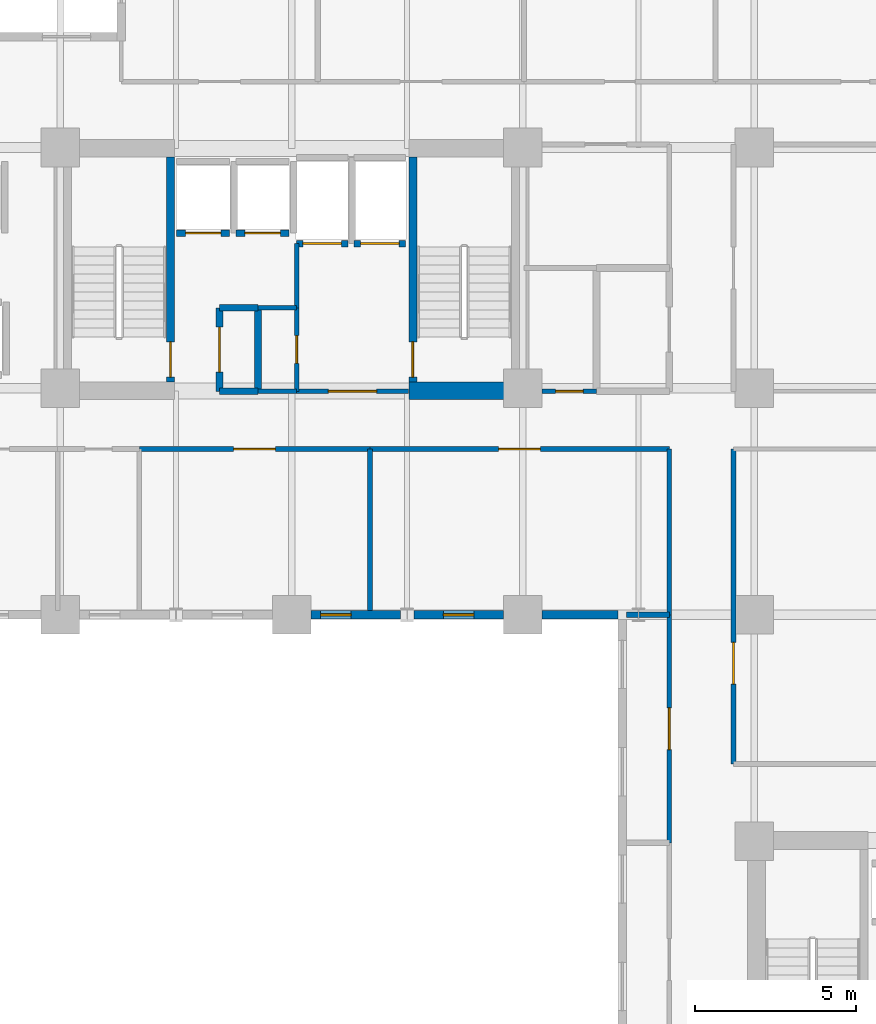
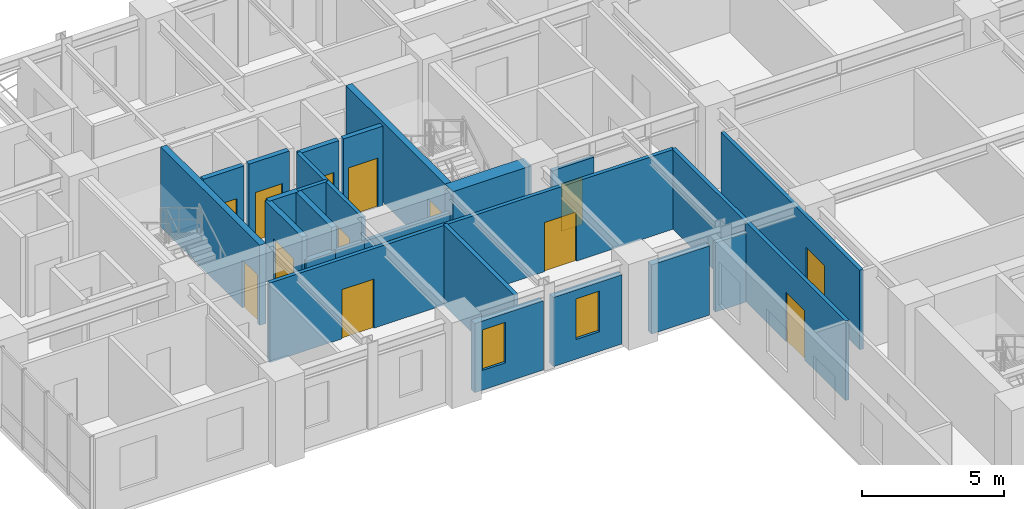
# One storey, part 9 of 17: 27 walls, 14 doors, 2 windows, 16 openings.
"""IFC4 building model written with IfcOpenShell, lengths in metres."""

from ifc_helpers import new_model, si_unit, direction, frame, frame_2d, origin, place, context, subcontext, project, spatial, rectangle, extrude, material, layer, layer_set, type_object, element, fill, save


model = new_model("IFC4")

# Units and contexts
model_context = context("Model", 3, precision=1e-05, world=origin(), true_north=direction((0.0, 1.0)))
body_context = subcontext(model_context, "Body", "Model", "MODEL_VIEW")
ifc_project = project(units=[si_unit("LENGTHUNIT", "METRE"), si_unit("AREAUNIT", "SQUARE_METRE"), si_unit("VOLUMEUNIT", "CUBIC_METRE"), si_unit("PLANEANGLEUNIT", "RADIAN"), si_unit("MASSUNIT", "GRAM", prefix="KILO")], contexts=[model_context])

# Site, building, storey
site_placement = place(None, origin())
site = spatial("IfcSite", under=ifc_project, at=site_placement, CompositionType="ELEMENT")
building_placement = place(site_placement, origin())
building = spatial("IfcBuilding", under=site, at=building_placement, Name="Kaliganga Portal Commons", CompositionType="ELEMENT")
storey_placement = place(building_placement, frame((0.0, 0.0, 108.199951171875)))
storey = spatial("IfcBuildingStorey", under=building, at=storey_placement, Name="L27", CompositionType="ELEMENT", Elevation=108.199951171875)

# Wall
ifc_material_1 = material(Name="Concrete C60/75", Category="concrete")
ifc_layer_1 = layer(ifc_material_1, 0.550048828125)
ifc_layer_set_1 = layer_set([ifc_layer_1], Name="Concrete C60/75")
wall_type_1 = type_object("IfcWallType", Name="WL-CORE-550", PredefinedType="SHEAR", material=ifc_layer_set_1)
wall_1_placement = place(storey_placement, frame((25.25, 28.574951171875, 0.0), z_axis=(0.0, 0.0, 1.0), x_axis=(1.0, 0.0, 0.0)))
element("IfcWall", 1, at=wall_1_placement, inside=storey, type_object=wall_type_1, Name="Core A S-East Shear Wall L27", PredefinedType="SHEAR", context=body_context, shape_type="SweptSolid", body=[
    extrude(rectangle(XDim=3.199951171875, YDim=0.550048828125, at=frame_2d((1.60009765625, 0.0))), origin(), (0.0, 0.0, 1.0), 3.449951171875),
])

# Wall, opening, window
ifc_material_2 = material(Name="Insulated Aluminium-Clad Spandrel Assembly", Category="aluminium")
ifc_layer_2 = layer(ifc_material_2, 0.260009765625)
ifc_layer_set_2 = layer_set([ifc_layer_2], Name="Insulated Aluminium-Clad Spandrel Assembly")
wall_type_2 = type_object("IfcWallType", Name="WL-EXT-SPAND-260", PredefinedType="STANDARD", material=ifc_layer_set_2)
wall_2_placement = place(storey_placement, frame((24.994384765625, 21.60009765625, 0.0), z_axis=(0.0, 0.0, 1.0), x_axis=(-1.0, 0.0, 0.0)))
wall_2 = element("IfcWall", 2, at=wall_2_placement, inside=storey, type_object=wall_type_2, Name="Exterior Envelope Wall L27 P1-E10-S4", PredefinedType="STANDARD", context=body_context, shape_type="SweptSolid", body=[
    extrude(rectangle(XDim=2.79345703125, YDim=0.260009765625, at=frame_2d((1.396728515625, 0.0))), origin(), (0.0, 0.0, 1.0), 2.97998046875),
])
opening_1_placement = place(wall_2_placement, frame((1.536376953125, 0.0, 0.85009765625)))
opening_1 = element("IfcOpeningElement", 3, at=opening_1_placement, cuts=wall_2, Name="Opening W-04", PredefinedType="OPENING", context=body_context, shape_type="SweptSolid", body=[
    extrude(rectangle(XDim=0.949951171875, YDim=1.75, at=frame_2d((0.47509765625, 0.875))), frame((0.0, 0.14013671875, 0.0), z_axis=(0.0, -1.0, 0.0), x_axis=(1.0, 0.0, 0.0)), (0.0, 0.0, 1.0), 0.280029296875),
])
ifc_material_3 = material(Name="Thermally Broken Aluminium and Low-E Double Glazing", Category="aluminium")
window_type = type_object("IfcWindowType", Name="WIN-NARROW-950", PartitioningType="SINGLE_PANEL", PredefinedType="WINDOW", material=ifc_material_3)
window_1_placement = place(opening_1_placement, origin())
window_1 = element("IfcWindow", 4, at=window_1_placement, inside=storey, type_object=window_type, Name="Facade Window L27-P1E10S4-N4", OverallHeight=1.75, OverallWidth=0.949951171875, PartitioningType="SINGLE_PANEL", PredefinedType="WINDOW", context=body_context, shape_type="SweptSolid", body=[
    extrude(rectangle(XDim=0.949951171875, YDim=1.75, at=frame_2d((0.47509765625, 0.875))), frame((0.0, 0.030029296875, 0.0), z_axis=(0.0, -1.0, 0.0), x_axis=(1.0, 0.0, 0.0)), (0.0, 0.0, 1.0), 0.06005859375),
])
fill(opening_1, window_1)

wall_3_placement = place(storey_placement, frame((28.198974609375, 21.60009765625, 0.0), z_axis=(0.0, 0.0, 1.0), x_axis=(-1.0, 0.0, 0.0)))
wall_3 = element("IfcWall", 5, at=wall_3_placement, inside=storey, type_object=wall_type_2, Name="Exterior Envelope Wall L27 P1-E10-S5", PredefinedType="STANDARD", context=body_context, shape_type="SweptSolid", body=[
    extrude(rectangle(XDim=2.79345703125, YDim=0.260009765625, at=frame_2d((1.396728515625, 0.0))), origin(), (0.0, 0.0, 1.0), 2.97998046875),
])
opening_2_placement = place(wall_3_placement, frame((0.921875, 0.0, 0.85009765625)))
opening_2 = element("IfcOpeningElement", 6, at=opening_2_placement, cuts=wall_3, Name="Opening W-04", PredefinedType="OPENING", context=body_context, shape_type="SweptSolid", body=[
    extrude(rectangle(XDim=0.949951171875, YDim=1.75, at=frame_2d((0.47509765625, 0.875))), frame((0.0, 0.14013671875, 0.0), z_axis=(0.0, -1.0, 0.0), x_axis=(1.0, 0.0, 0.0)), (0.0, 0.0, 1.0), 0.280029296875),
])
window_2_placement = place(opening_2_placement, origin())
window_2 = element("IfcWindow", 7, at=window_2_placement, inside=storey, type_object=window_type, Name="Facade Window L27-P1E10S5-00", OverallHeight=1.75, OverallWidth=0.949951171875, PartitioningType="SINGLE_PANEL", PredefinedType="WINDOW", context=body_context, shape_type="SweptSolid", body=[
    extrude(rectangle(XDim=0.949951171875, YDim=1.75, at=frame_2d((0.47509765625, 0.875))), frame((0.0, 0.030029296875, 0.0), z_axis=(0.0, -1.0, 0.0), x_axis=(1.0, 0.0, 0.0)), (0.0, 0.0, 1.0), 0.06005859375),
])
fill(opening_2, window_2)

# Wall
wall_4_placement = place(storey_placement, frame((31.764892578125, 21.60009765625, 0.0), z_axis=(0.0, 0.0, 1.0), x_axis=(-1.0, 0.0, 0.0)))
element("IfcWall", 8, at=wall_4_placement, inside=storey, type_object=wall_type_2, Name="Exterior Envelope Wall L27 P1-E10-S6", PredefinedType="STANDARD", context=body_context, shape_type="SweptSolid", body=[
    extrude(rectangle(XDim=2.364013671875, YDim=0.260009765625, at=frame_2d((1.18212890625, 0.0))), origin(), (0.0, 0.0, 1.0), 2.97998046875),
])

# Wall, opening, door
ifc_material_4 = material(Name="Fire-Rated Gypsum Board on Steel Stud", Category="steel")
ifc_layer_3 = layer(ifc_material_4, 0.14990234375)
ifc_layer_set_3 = layer_set([ifc_layer_3], Name="Fire-Rated Gypsum Board on Steel Stud")
wall_type_3 = type_object("IfcWallType", Name="WL-PART-CORR-150", PredefinedType="PARTITIONING", material=ifc_layer_set_3)
wall_5_placement = place(storey_placement, frame((35.360107421875, 16.9599609375, 0.0), z_axis=(0.0, 0.0, 1.0), x_axis=(0.0, 1.0, 0.0)))
wall_5 = element("IfcWall", 9, at=wall_5_placement, inside=storey, type_object=wall_type_3, Name="Interior Partition L27-004", PredefinedType="PARTITIONING", context=body_context, shape_type="SweptSolid", body=[
    extrude(rectangle(XDim=9.800048828125, YDim=0.14990234375, at=frame_2d((4.89990234375, 0.0))), origin(), (0.0, 0.0, 1.0), 3.429931640625),
])
opening_3_placement = place(wall_5_placement, frame((2.486083984375, 0.0, 0.0)))
opening_3 = element("IfcOpeningElement", 10, at=opening_3_placement, cuts=wall_5, Name="Opening RD-03", PredefinedType="OPENING", context=body_context, shape_type="SweptSolid", body=[
    extrude(rectangle(XDim=1.300048828125, YDim=2.1201171875, at=frame_2d((0.64990234375, 1.06005859375))), frame((0.0, 0.0849609375, 0.0), z_axis=(0.0, -1.0, 0.0), x_axis=(1.0, 0.0, 0.0)), (0.0, 0.0, 1.0), 0.169921875),
])
ifc_material_5 = material(Name="Glazed Timber Seminar Vision Door", Category="wood")
door_type_1 = type_object("IfcDoorType", Name="DR-STUDY-1300", OperationType="DOUBLE_DOOR_SINGLE_SWING", PredefinedType="DOOR", material=ifc_material_5)
door_1_placement = place(opening_3_placement, origin())
door_1 = element("IfcDoor", 11, at=door_1_placement, inside=storey, type_object=door_type_1, Name="Interior Door L27-BM01", OperationType="DOUBLE_DOOR_SINGLE_SWING", OverallHeight=2.1201171875, OverallWidth=1.300048828125, PredefinedType="DOOR", context=body_context, shape_type="SweptSolid", body=[
    extrude(rectangle(XDim=1.300048828125, YDim=2.1201171875, at=frame_2d((0.64990234375, 1.06005859375))), frame((0.0, 0.02490234375, 0.0), z_axis=(0.0, -1.0, 0.0), x_axis=(1.0, 0.0, 0.0)), (0.0, 0.0, 1.0), 0.050048828125),
])
fill(opening_3, door_1)

wall_6_placement = place(storey_placement, frame((24.0400390625, 26.760009765625, 0.0), z_axis=(0.0, 0.0, 1.0), x_axis=(1.0, 0.0, 0.0)))
wall_6 = element("IfcWall", 12, at=wall_6_placement, inside=storey, type_object=wall_type_3, Name="Interior Partition L27-005", PredefinedType="PARTITIONING", context=body_context, shape_type="SweptSolid", body=[
    extrude(rectangle(XDim=9.320068359375, YDim=0.14990234375, at=frame_2d((4.66015625, 0.0))), origin(), (0.0, 0.0, 1.0), 3.429931640625),
])
opening_4_placement = place(wall_6_placement, frame((4.010009765625, 0.0, 0.0)))
opening_4 = element("IfcOpeningElement", 13, at=opening_4_placement, cuts=wall_6, Name="Opening RD-03", PredefinedType="OPENING", context=body_context, shape_type="SweptSolid", body=[
    extrude(rectangle(XDim=1.300048828125, YDim=2.1201171875, at=frame_2d((0.64990234375, 1.06005859375))), frame((0.0, 0.0849609375, 0.0), z_axis=(0.0, -1.0, 0.0), x_axis=(1.0, 0.0, 0.0)), (0.0, 0.0, 1.0), 0.169921875),
])
door_2_placement = place(opening_4_placement, origin())
door_2 = element("IfcDoor", 14, at=door_2_placement, inside=storey, type_object=door_type_1, Name="Interior Door L27-AS05", OperationType="DOUBLE_DOOR_SINGLE_SWING", OverallHeight=2.1201171875, OverallWidth=1.300048828125, PredefinedType="DOOR", context=body_context, shape_type="SweptSolid", body=[
    extrude(rectangle(XDim=1.300048828125, YDim=2.1201171875, at=frame_2d((0.64990234375, 1.06005859375))), frame((0.0, 0.02490234375, 0.0), z_axis=(0.0, -1.0, 0.0), x_axis=(1.0, 0.0, 0.0)), (0.0, 0.0, 1.0), 0.050048828125),
])
fill(opening_4, door_2)

wall_7_placement = place(storey_placement, frame((16.860107421875, 26.760009765625, 0.0), z_axis=(0.0, 0.0, 1.0), x_axis=(1.0, 0.0, 0.0)))
wall_7 = element("IfcWall", 15, at=wall_7_placement, inside=storey, type_object=wall_type_3, Name="Interior Partition L27-012", PredefinedType="PARTITIONING", context=body_context, shape_type="SweptSolid", body=[
    extrude(rectangle(XDim=7.179931640625, YDim=0.14990234375, at=frame_2d((3.58984375, 0.0))), origin(), (0.0, 0.0, 1.0), 3.429931640625),
])
opening_5_placement = place(wall_7_placement, frame((2.93994140625, 0.0, 0.0)))
opening_5 = element("IfcOpeningElement", 16, at=opening_5_placement, cuts=wall_7, Name="Opening RD-03", PredefinedType="OPENING", context=body_context, shape_type="SweptSolid", body=[
    extrude(rectangle(XDim=1.300048828125, YDim=2.1201171875, at=frame_2d((0.64990234375, 1.06005859375))), frame((0.0, 0.0849609375, 0.0), z_axis=(0.0, -1.0, 0.0), x_axis=(1.0, 0.0, 0.0)), (0.0, 0.0, 1.0), 0.169921875),
])
door_3_placement = place(opening_5_placement, origin())
door_3 = element("IfcDoor", 17, at=door_3_placement, inside=storey, type_object=door_type_1, Name="Interior Door L27-AS04", OperationType="DOUBLE_DOOR_SINGLE_SWING", OverallHeight=2.1201171875, OverallWidth=1.300048828125, PredefinedType="DOOR", context=body_context, shape_type="SweptSolid", body=[
    extrude(rectangle(XDim=1.300048828125, YDim=2.1201171875, at=frame_2d((0.64990234375, 1.06005859375))), frame((0.0, 0.02490234375, 0.0), z_axis=(0.0, -1.0, 0.0), x_axis=(1.0, 0.0, 0.0)), (0.0, 0.0, 1.0), 0.050048828125),
])
fill(opening_5, door_3)

wall_8_placement = place(storey_placement, frame((33.360107421875, 14.5, 0.0), z_axis=(0.0, 0.0, 1.0), x_axis=(0.0, 1.0, 0.0)))
wall_8 = element("IfcWall", 18, at=wall_8_placement, inside=storey, type_object=wall_type_3, Name="Interior Partition L27-013", PredefinedType="PARTITIONING", context=body_context, shape_type="SweptSolid", body=[
    extrude(rectangle(XDim=7.10009765625, YDim=0.14990234375, at=frame_2d((3.550048828125, 0.0))), origin(), (0.0, 0.0, 1.0), 3.429931640625),
])
opening_6_placement = place(wall_8_placement, frame((2.89990234375, 0.0, 0.0)))
opening_6 = element("IfcOpeningElement", 19, at=opening_6_placement, cuts=wall_8, Name="Opening RD-03", PredefinedType="OPENING", context=body_context, shape_type="SweptSolid", body=[
    extrude(rectangle(XDim=1.300048828125, YDim=2.1201171875, at=frame_2d((0.64990234375, 1.06005859375))), frame((0.0, 0.0849609375, 0.0), z_axis=(0.0, -1.0, 0.0), x_axis=(1.0, 0.0, 0.0)), (0.0, 0.0, 1.0), 0.169921875),
])
door_4_placement = place(opening_6_placement, origin())
door_4 = element("IfcDoor", 20, at=door_4_placement, inside=storey, type_object=door_type_1, Name="Interior Door L27-KW02", OperationType="DOUBLE_DOOR_SINGLE_SWING", OverallHeight=2.1201171875, OverallWidth=1.300048828125, PredefinedType="DOOR", context=body_context, shape_type="SweptSolid", body=[
    extrude(rectangle(XDim=1.300048828125, YDim=2.1201171875, at=frame_2d((0.64990234375, 1.06005859375))), frame((0.0, 0.02490234375, 0.0), z_axis=(0.0, -1.0, 0.0), x_axis=(1.0, 0.0, 0.0)), (0.0, 0.0, 1.0), 0.050048828125),
])
fill(opening_6, door_4)

# Wall
wall_9_placement = place(storey_placement, frame((33.360107421875, 21.60009765625, 0.0), z_axis=(0.0, 0.0, 1.0), x_axis=(0.0, 1.0, 0.0)))
element("IfcWall", 21, at=wall_9_placement, inside=storey, type_object=wall_type_3, Name="Interior Partition L27-022", PredefinedType="PARTITIONING", context=body_context, shape_type="SweptSolid", body=[
    extrude(rectangle(XDim=5.159912109375, YDim=0.14990234375, at=frame_2d((2.580078125, 0.0))), origin(), (0.0, 0.0, 1.0), 3.429931640625),
])

# Wall, opening, door
wall_10_placement = place(storey_placement, frame((21.760009765625, 28.56005859375, 0.0), z_axis=(0.0, 0.0, 1.0), x_axis=(0.0, 1.0, 0.0)))
wall_10 = element("IfcWall", 22, at=wall_10_placement, inside=storey, type_object=wall_type_3, Name="Interior Partition L27-032", PredefinedType="PARTITIONING", context=body_context, shape_type="SweptSolid", body=[
    extrude(rectangle(XDim=2.599853515625, YDim=0.14990234375, at=frame_2d((1.2998046875, 0.0))), origin(), (0.0, 0.0, 1.0), 3.429931640625),
])
opening_7_placement = place(wall_10_placement, frame((0.8701171875, 0.0, 0.0)))
opening_7 = element("IfcOpeningElement", 23, at=opening_7_placement, cuts=wall_10, Name="Opening WD-02", PredefinedType="OPENING", context=body_context, shape_type="SweptSolid", body=[
    extrude(rectangle(XDim=0.860107421875, YDim=2.02001953125, at=frame_2d((0.43017578125, 1.010009765625))), frame((0.0, 0.0849609375, 0.0), z_axis=(0.0, -1.0, 0.0), x_axis=(1.0, 0.0, 0.0)), (0.0, 0.0, 1.0), 0.169921875),
])
ifc_material_6 = material(Name="Fire-Rated Utility Closet Door", Category="wood")
door_type_2 = type_object("IfcDoorType", Name="DR-STORE-800", OperationType="NOTDEFINED", PredefinedType="DOOR", material=ifc_material_6)
door_5_placement = place(opening_7_placement, origin())
door_5 = element("IfcDoor", 24, at=door_5_placement, inside=storey, type_object=door_type_2, Name="Interior Door L27-CIN_A2", OperationType="SINGLE_SWING_RIGHT", OverallHeight=2.02001953125, OverallWidth=0.860107421875, PredefinedType="DOOR", context=body_context, shape_type="SweptSolid", body=[
    extrude(rectangle(XDim=0.860107421875, YDim=2.02001953125, at=frame_2d((0.43017578125, 1.010009765625))), frame((0.0, 0.02490234375, 0.0), z_axis=(0.0, -1.0, 0.0), x_axis=(1.0, 0.0, 0.0)), (0.0, 0.0, 1.0), 0.050048828125),
])
fill(opening_7, door_5)

wall_11_placement = place(storey_placement, frame((29.39990234375, 28.56005859375, 0.0), z_axis=(0.0, 0.0, 1.0), x_axis=(1.0, 0.0, 0.0)))
wall_11 = element("IfcWall", 25, at=wall_11_placement, inside=storey, type_object=wall_type_3, Name="Interior Partition L27-035", PredefinedType="PARTITIONING", context=body_context, shape_type="SweptSolid", body=[
    extrude(rectangle(XDim=1.7001953125, YDim=0.14990234375, at=frame_2d((0.85009765625, 0.0))), origin(), (0.0, 0.0, 1.0), 2.780029296875),
])
opening_8_placement = place(wall_11_placement, frame((0.419921875, 0.0, 0.0)))
opening_8 = element("IfcOpeningElement", 26, at=opening_8_placement, cuts=wall_11, Name="Opening WD-02", PredefinedType="OPENING", context=body_context, shape_type="SweptSolid", body=[
    extrude(rectangle(XDim=0.860107421875, YDim=2.02001953125, at=frame_2d((0.43017578125, 1.010009765625))), frame((0.0, 0.0849609375, 0.0), z_axis=(0.0, -1.0, 0.0), x_axis=(1.0, 0.0, 0.0)), (0.0, 0.0, 1.0), 0.169921875),
])
door_6_placement = place(opening_8_placement, origin())
door_6 = element("IfcDoor", 27, at=door_6_placement, inside=storey, type_object=door_type_2, Name="Interior Door L27-CSRV_A1", OperationType="SINGLE_SWING_LEFT", OverallHeight=2.02001953125, OverallWidth=0.860107421875, PredefinedType="DOOR", context=body_context, shape_type="SweptSolid", body=[
    extrude(rectangle(XDim=0.860107421875, YDim=2.02001953125, at=frame_2d((0.43017578125, 1.010009765625))), frame((0.0, 0.02490234375, 0.0), z_axis=(0.0, -1.0, 0.0), x_axis=(1.0, 0.0, 0.0)), (0.0, 0.0, 1.0), 0.050048828125),
])
fill(opening_8, door_6)

# Walls
wall_12_placement = place(storey_placement, frame((20.56005859375, 28.56005859375, 0.0), z_axis=(0.0, 0.0, 1.0), x_axis=(1.0, 0.0, 0.0)))
element("IfcWall", 28, at=wall_12_placement, inside=storey, type_object=wall_type_3, Name="Interior Partition L27-039", PredefinedType="PARTITIONING", context=body_context, shape_type="SweptSolid", body=[
    extrude(rectangle(XDim=1.199951171875, YDim=0.14990234375, at=frame_2d((0.60009765625, 0.0))), origin(), (0.0, 0.0, 1.0), 2.429931640625),
])
wall_13_placement = place(storey_placement, frame((20.56005859375, 31.159912109375, 0.0), z_axis=(0.0, 0.0, 1.0), x_axis=(1.0, 0.0, 0.0)))
element("IfcWall", 29, at=wall_13_placement, inside=storey, type_object=wall_type_3, Name="Interior Partition L27-040", PredefinedType="PARTITIONING", context=body_context, shape_type="SweptSolid", body=[
    extrude(rectangle(XDim=1.199951171875, YDim=0.14990234375, at=frame_2d((0.60009765625, 0.0))), origin(), (0.0, 0.0, 1.0), 3.429931640625),
])

# Wall, opening, door
wall_14_placement = place(storey_placement, frame((21.760009765625, 28.56005859375, 0.0), z_axis=(0.0, 0.0, 1.0), x_axis=(1.0, 0.0, 0.0)))
wall_14 = element("IfcWall", 30, at=wall_14_placement, inside=storey, type_object=wall_type_3, Name="Interior Partition L27-072", PredefinedType="PARTITIONING", context=body_context, shape_type="SweptSolid", body=[
    extrude(rectangle(XDim=3.47998046875, YDim=0.14990234375, at=frame_2d((1.739990234375, 0.0))), origin(), (0.0, 0.0, 1.0), 2.429931640625),
])
opening_9_placement = place(wall_14_placement, frame((0.989990234375, 0.0, 0.0)))
opening_9 = element("IfcOpeningElement", 31, at=opening_9_placement, cuts=wall_14, Name="Opening FD-01", PredefinedType="OPENING", context=body_context, shape_type="SweptSolid", body=[
    extrude(rectangle(XDim=1.5, YDim=2.10009765625, at=frame_2d((0.75, 1.050048828125))), frame((0.0, 0.0849609375, 0.0), z_axis=(0.0, -1.0, 0.0), x_axis=(1.0, 0.0, 0.0)), (0.0, 0.0, 1.0), 0.169921875),
])
ifc_material_7 = material(Name="Fire-Rated Hardwood and Georgian-Wired Vision Panel", Category="wood")
door_type_3 = type_object("IfcDoorType", Name="DR-LOBBY-1500", OperationType="DOUBLE_DOOR_SINGLE_SWING", PredefinedType="DOOR", material=ifc_material_7)
door_7_placement = place(opening_9_placement, origin())
door_7 = element("IfcDoor", 32, at=door_7_placement, inside=storey, type_object=door_type_3, Name="Interior Door L27-FFLOB_A", OperationType="DOUBLE_DOOR_SINGLE_SWING", OverallHeight=2.10009765625, OverallWidth=1.5, PredefinedType="DOOR", context=body_context, shape_type="SweptSolid", body=[
    extrude(rectangle(XDim=1.5, YDim=2.10009765625, at=frame_2d((0.75, 1.050048828125))), frame((0.0, 0.02490234375, 0.0), z_axis=(0.0, -1.0, 0.0), x_axis=(1.0, 0.0, 0.0)), (0.0, 0.0, 1.0), 0.050048828125),
])
fill(opening_9, door_7)

# Wall
wall_15_placement = place(storey_placement, frame((21.760009765625, 31.159912109375, 0.0), z_axis=(0.0, 0.0, 1.0), x_axis=(0.0, 1.0, 0.0)))
element("IfcWall", 33, at=wall_15_placement, inside=storey, type_object=wall_type_3, Name="Interior Partition L27-077", PredefinedType="PARTITIONING", context=body_context, shape_type="SweptSolid", body=[
    extrude(rectangle(XDim=2.0, YDim=0.14990234375, at=frame_2d((1.0, 0.0))), origin(), (0.0, 0.0, 1.0), 3.429931640625),
])

# Wall, opening, door
ifc_material_8 = material(Name="Lightweight blockwork masonry", Category="masonry")
ifc_layer_4 = layer(ifc_material_8, 0.215087890625)
ifc_layer_set_4 = layer_set([ifc_layer_4], Name="Lightweight blockwork masonry")
wall_type_4 = type_object("IfcWallType", Name="WL-PART-PLANT-215", PredefinedType="PARTITIONING", material=ifc_layer_set_4)
wall_16_placement = place(storey_placement, frame((19.360107421875, 28.56005859375, 0.0), z_axis=(0.0, 0.0, 1.0), x_axis=(0.0, 1.0, 0.0)))
wall_16 = element("IfcWall", 34, at=wall_16_placement, inside=storey, type_object=wall_type_4, Name="Interior Partition L27-031", PredefinedType="PARTITIONING", context=body_context, shape_type="SweptSolid", body=[
    extrude(rectangle(XDim=2.599853515625, YDim=0.215087890625, at=frame_2d((1.2998046875, 0.0))), origin(), (0.0, 0.0, 1.0), 3.429931640625),
])
opening_10_placement = place(wall_16_placement, frame((0.60009765625, 0.0, 0.0)))
opening_10 = element("IfcOpeningElement", 35, at=opening_10_placement, cuts=wall_16, Name="Opening PD-01", PredefinedType="OPENING", context=body_context, shape_type="SweptSolid", body=[
    extrude(rectangle(XDim=1.39990234375, YDim=2.14990234375, at=frame_2d((0.699951171875, 1.074951171875))), frame((0.0, 0.11767578125, 0.0), z_axis=(0.0, -1.0, 0.0), x_axis=(1.0, 0.0, 0.0)), (0.0, 0.0, 1.0), 0.235107421875),
])
ifc_material_9 = material(Name="Heavy-Duty Steel Acoustic Louvre Fire Door", Category="steel")
door_type_4 = type_object("IfcDoorType", Name="DR-PLANT-1400", OperationType="DOUBLE_DOOR_SINGLE_SWING", PredefinedType="DOOR", material=ifc_material_9)
door_8_placement = place(opening_10_placement, origin())
door_8 = element("IfcDoor", 36, at=door_8_placement, inside=storey, type_object=door_type_4, Name="Interior Door L27-CIN_A1", OperationType="DOUBLE_DOOR_SINGLE_SWING", OverallHeight=2.14990234375, OverallWidth=1.39990234375, PredefinedType="DOOR", context=body_context, shape_type="SweptSolid", body=[
    extrude(rectangle(XDim=1.39990234375, YDim=2.14990234375, at=frame_2d((0.699951171875, 1.074951171875))), frame((0.0, 0.02490234375, 0.0), z_axis=(0.0, -1.0, 0.0), x_axis=(1.0, 0.0, 0.0)), (0.0, 0.0, 1.0), 0.050048828125),
])
fill(opening_10, door_8)

# Walls
wall_17_placement = place(storey_placement, frame((19.360107421875, 28.56005859375, 0.0), z_axis=(0.0, 0.0, 1.0), x_axis=(1.0, 0.0, 0.0)))
element("IfcWall", 37, at=wall_17_placement, inside=storey, type_object=wall_type_4, Name="Interior Partition L27-041", PredefinedType="PARTITIONING", context=body_context, shape_type="SweptSolid", body=[
    extrude(rectangle(XDim=1.199951171875, YDim=0.215087890625, at=frame_2d((0.60009765625, 0.0))), origin(), (0.0, 0.0, 1.0), 2.429931640625),
])
wall_18_placement = place(storey_placement, frame((19.360107421875, 31.159912109375, 0.0), z_axis=(0.0, 0.0, 1.0), x_axis=(1.0, 0.0, 0.0)))
element("IfcWall", 38, at=wall_18_placement, inside=storey, type_object=wall_type_4, Name="Interior Partition L27-042", PredefinedType="PARTITIONING", context=body_context, shape_type="SweptSolid", body=[
    extrude(rectangle(XDim=1.199951171875, YDim=0.215087890625, at=frame_2d((0.60009765625, 0.0))), origin(), (0.0, 0.0, 1.0), 3.429931640625),
])
wall_19_placement = place(storey_placement, frame((20.56005859375, 28.56005859375, 0.0), z_axis=(0.0, 0.0, 1.0), x_axis=(0.0, 1.0, 0.0)))
element("IfcWall", 39, at=wall_19_placement, inside=storey, type_object=wall_type_4, Name="Interior Partition L27-073", PredefinedType="PARTITIONING", context=body_context, shape_type="SweptSolid", body=[
    extrude(rectangle(XDim=2.599853515625, YDim=0.215087890625, at=frame_2d((1.2998046875, 0.0))), origin(), (0.0, 0.0, 1.0), 3.429931640625),
])
ifc_material_10 = material(Name="Twin-Stud Acoustic Gypsum Partition", Category="gypsum")
ifc_layer_5 = layer(ifc_material_10, 0.1650390625)
ifc_layer_set_5 = layer_set([ifc_layer_5], Name="Twin-Stud Acoustic Gypsum Partition")
wall_type_5 = type_object("IfcWallType", Name="WL-PART-UNIT-165", PredefinedType="PARTITIONING", material=ifc_layer_set_5)
wall_20_placement = place(storey_placement, frame((24.0400390625, 21.73193359375, 0.0), z_axis=(0.0, 0.0, 1.0), x_axis=(0.0, 1.0, 0.0)))
element("IfcWall", 40, at=wall_20_placement, inside=storey, type_object=wall_type_5, Name="Interior Partition L27-060", PredefinedType="PARTITIONING", context=body_context, shape_type="SweptSolid", body=[
    extrude(rectangle(XDim=5.028076171875, YDim=0.1650390625, at=frame_2d((2.51416015625, 0.0))), origin(), (0.0, 0.0, 1.0), 3.429931640625),
])
wall_21_placement = place(storey_placement, frame((32.031982421875, 21.60009765625, 0.0), z_axis=(0.0, 0.0, 1.0), x_axis=(1.0, 0.0, 0.0)))
element("IfcWall", 41, at=wall_21_placement, inside=storey, type_object=wall_type_5, Name="Interior Partition L27-079", PredefinedType="PARTITIONING", context=body_context, shape_type="SweptSolid", body=[
    extrude(rectangle(XDim=1.328125, YDim=0.1650390625, at=frame_2d((0.6640625, 0.0))), origin(), (0.0, 0.0, 1.0), 2.97998046875),
])

# Wall, opening, door
ifc_material_11 = material(Name="Fire-Rated Shaftwall Masonry Assembly", Category="masonry")
ifc_layer_6 = layer(ifc_material_11, 0.199951171875)
ifc_layer_set_6 = layer_set([ifc_layer_6], Name="Fire-Rated Shaftwall Masonry Assembly")
wall_type_6 = type_object("IfcWallType", Name="WL-SHAFT-200", PredefinedType="PARTITIONING", material=ifc_layer_set_6)
wall_22_placement = place(storey_placement, frame((18.02490234375, 33.485107421875, 0.0), z_axis=(0.0, 0.0, 1.0), x_axis=(1.0, 0.0, 0.0)))
wall_22 = element("IfcWall", 42, at=wall_22_placement, inside=storey, type_object=wall_type_6, Name="Lift PL-A1 Hoistway Shaft Wall L27-S", PredefinedType="PARTITIONING", context=body_context, shape_type="SweptSolid", body=[
    extrude(rectangle(XDim=1.650146484375, YDim=0.199951171875, at=frame_2d((0.8251953125, 0.0))), origin(), (0.0, 0.0, 1.0), 3.429931640625),
])
opening_11_placement = place(wall_22_placement, frame((0.27490234375, 0.0, 0.0)))
opening_11 = element("IfcOpeningElement", 43, at=opening_11_placement, cuts=wall_22, Name="Opening LD-01", PredefinedType="OPENING", context=body_context, shape_type="SweptSolid", body=[
    extrude(rectangle(XDim=1.10009765625, YDim=2.1201171875, at=frame_2d((0.550048828125, 1.06005859375))), frame((0.0, 0.10986328125, 0.0), z_axis=(0.0, -1.0, 0.0), x_axis=(1.0, 0.0, 0.0)), (0.0, 0.0, 1.0), 0.219970703125),
])
ifc_material_12 = material(Name="Brushed Stainless Steel 316 Lift Landing Door", Category="steel")
door_type_5 = type_object("IfcDoorType", Name="DR-LIFT-1100", OperationType="SLIDING_TO_LEFT", PredefinedType="DOOR", material=ifc_material_12)
door_9_placement = place(opening_11_placement, origin())
door_9 = element("IfcDoor", 44, at=door_9_placement, inside=storey, type_object=door_type_5, Name="Lift PL-A1 Sliding Landing Door L27", OperationType="SLIDING_TO_LEFT", OverallHeight=2.1201171875, OverallWidth=1.10009765625, PredefinedType="DOOR", context=body_context, shape_type="SweptSolid", body=[
    extrude(rectangle(XDim=1.10009765625, YDim=2.1201171875, at=frame_2d((0.550048828125, 1.06005859375))), frame((0.0, 0.02490234375, 0.0), z_axis=(0.0, -1.0, 0.0), x_axis=(1.0, 0.0, 0.0)), (0.0, 0.0, 1.0), 0.050048828125),
])
fill(opening_11, door_9)

wall_23_placement = place(storey_placement, frame((19.875, 33.485107421875, 0.0), z_axis=(0.0, 0.0, 1.0), x_axis=(1.0, 0.0, 0.0)))
wall_23 = element("IfcWall", 45, at=wall_23_placement, inside=storey, type_object=wall_type_6, Name="Lift PL-A2 Hoistway Shaft Wall L27-S", PredefinedType="PARTITIONING", context=body_context, shape_type="SweptSolid", body=[
    extrude(rectangle(XDim=1.64990234375, YDim=0.199951171875, at=frame_2d((0.824951171875, 0.0))), origin(), (0.0, 0.0, 1.0), 3.429931640625),
])
opening_12_placement = place(wall_23_placement, frame((0.27490234375, 0.0, 0.0)))
opening_12 = element("IfcOpeningElement", 46, at=opening_12_placement, cuts=wall_23, Name="Opening LD-01", PredefinedType="OPENING", context=body_context, shape_type="SweptSolid", body=[
    extrude(rectangle(XDim=1.10009765625, YDim=2.1201171875, at=frame_2d((0.550048828125, 1.06005859375))), frame((0.0, 0.10986328125, 0.0), z_axis=(0.0, -1.0, 0.0), x_axis=(1.0, 0.0, 0.0)), (0.0, 0.0, 1.0), 0.219970703125),
])
door_10_placement = place(opening_12_placement, origin())
door_10 = element("IfcDoor", 47, at=door_10_placement, inside=storey, type_object=door_type_5, Name="Lift PL-A2 Sliding Landing Door L27", OperationType="SLIDING_TO_LEFT", OverallHeight=2.1201171875, OverallWidth=1.10009765625, PredefinedType="DOOR", context=body_context, shape_type="SweptSolid", body=[
    extrude(rectangle(XDim=1.10009765625, YDim=2.1201171875, at=frame_2d((0.550048828125, 1.06005859375))), frame((0.0, 0.02490234375, 0.0), z_axis=(0.0, -1.0, 0.0), x_axis=(1.0, 0.0, 0.0)), (0.0, 0.0, 1.0), 0.050048828125),
])
fill(opening_12, door_10)

wall_24_placement = place(storey_placement, frame((21.75, 33.159912109375, 0.0), z_axis=(0.0, 0.0, 1.0), x_axis=(1.0, 0.0, 0.0)))
wall_24 = element("IfcWall", 48, at=wall_24_placement, inside=storey, type_object=wall_type_6, Name="Lift FFL-1 Hoistway Shaft Wall L27-S", PredefinedType="PARTITIONING", context=body_context, shape_type="SweptSolid", body=[
    extrude(rectangle(XDim=1.60009765625, YDim=0.199951171875, at=frame_2d((0.800048828125, 0.0))), origin(), (0.0, 0.0, 1.0), 3.429931640625),
])
opening_13_placement = place(wall_24_placement, frame((0.199951171875, 0.0, 0.0)))
opening_13 = element("IfcOpeningElement", 49, at=opening_13_placement, cuts=wall_24, Name="Opening LD-02", PredefinedType="OPENING", context=body_context, shape_type="SweptSolid", body=[
    extrude(rectangle(XDim=1.199951171875, YDim=2.1201171875, at=frame_2d((0.60009765625, 1.06005859375))), frame((0.0, 0.10986328125, 0.0), z_axis=(0.0, -1.0, 0.0), x_axis=(1.0, 0.0, 0.0)), (0.0, 0.0, 1.0), 0.219970703125),
])
ifc_material_13 = material(Name="Brushed Stainless Steel 316 Stretcher Lift Landing Door", Category="steel")
door_type_6 = type_object("IfcDoorType", Name="DR-LIFT-1200", OperationType="SLIDING_TO_RIGHT", PredefinedType="DOOR", material=ifc_material_13)
door_11_placement = place(opening_13_placement, origin())
door_11 = element("IfcDoor", 50, at=door_11_placement, inside=storey, type_object=door_type_6, Name="Lift FFL-1 Sliding Landing Door L27", OperationType="SLIDING_TO_RIGHT", OverallHeight=2.1201171875, OverallWidth=1.199951171875, PredefinedType="DOOR", context=body_context, shape_type="SweptSolid", body=[
    extrude(rectangle(XDim=1.199951171875, YDim=2.1201171875, at=frame_2d((0.60009765625, 1.06005859375))), frame((0.0, 0.02490234375, 0.0), z_axis=(0.0, -1.0, 0.0), x_axis=(1.0, 0.0, 0.0)), (0.0, 0.0, 1.0), 0.050048828125),
])
fill(opening_13, door_11)

wall_25_placement = place(storey_placement, frame((23.550048828125, 33.159912109375, 0.0), z_axis=(0.0, 0.0, 1.0), x_axis=(1.0, 0.0, 0.0)))
wall_25 = element("IfcWall", 51, at=wall_25_placement, inside=storey, type_object=wall_type_6, Name="Lift FFL-2 Hoistway Shaft Wall L27-S", PredefinedType="PARTITIONING", context=body_context, shape_type="SweptSolid", body=[
    extrude(rectangle(XDim=1.599853515625, YDim=0.199951171875, at=frame_2d((0.7998046875, 0.0))), origin(), (0.0, 0.0, 1.0), 3.429931640625),
])
opening_14_placement = place(wall_25_placement, frame((0.199951171875, 0.0, 0.0)))
opening_14 = element("IfcOpeningElement", 52, at=opening_14_placement, cuts=wall_25, Name="Opening LD-02", PredefinedType="OPENING", context=body_context, shape_type="SweptSolid", body=[
    extrude(rectangle(XDim=1.199951171875, YDim=2.1201171875, at=frame_2d((0.60009765625, 1.06005859375))), frame((0.0, 0.10986328125, 0.0), z_axis=(0.0, -1.0, 0.0), x_axis=(1.0, 0.0, 0.0)), (0.0, 0.0, 1.0), 0.219970703125),
])
door_12_placement = place(opening_14_placement, origin())
door_12 = element("IfcDoor", 53, at=door_12_placement, inside=storey, type_object=door_type_6, Name="Lift FFL-2 Sliding Landing Door L27", OperationType="SLIDING_TO_RIGHT", OverallHeight=2.1201171875, OverallWidth=1.199951171875, PredefinedType="DOOR", context=body_context, shape_type="SweptSolid", body=[
    extrude(rectangle(XDim=1.199951171875, YDim=2.1201171875, at=frame_2d((0.60009765625, 1.06005859375))), frame((0.0, 0.02490234375, 0.0), z_axis=(0.0, -1.0, 0.0), x_axis=(1.0, 0.0, 0.0)), (0.0, 0.0, 1.0), 0.050048828125),
])
fill(opening_14, door_12)

ifc_material_14 = material(Name="Concrete C50/60", Category="concrete")
ifc_layer_7 = layer(ifc_material_14, 0.25)
ifc_layer_set_7 = layer_set([ifc_layer_7], Name="Concrete C50/60")
wall_type_7 = type_object("IfcWallType", Name="WL-STAIR-250", PredefinedType="SHEAR", material=ifc_layer_set_7)
wall_26_placement = place(storey_placement, frame((17.824951171875, 28.85009765625, 0.0), z_axis=(0.0, 0.0, 1.0), x_axis=(0.0, 1.0, 0.0)))
wall_26 = element("IfcWall", 54, at=wall_26_placement, inside=storey, type_object=wall_type_7, Name="Stair A1 Enclosure Shear Wall L27", PredefinedType="SHEAR", context=body_context, shape_type="SweptSolid", body=[
    extrude(rectangle(XDim=7.0, YDim=0.25, at=frame_2d((3.5, 0.0))), origin(), (0.0, 0.0, 1.0), 3.449951171875),
])
opening_15_placement = place(wall_26_placement, frame((0.14990234375, 0.0, 0.0)))
opening_15 = element("IfcOpeningElement", 55, at=opening_15_placement, cuts=wall_26, Name="Opening SD-01", PredefinedType="OPENING", context=body_context, shape_type="SweptSolid", body=[
    extrude(rectangle(XDim=1.10009765625, YDim=2.080078125, at=frame_2d((0.550048828125, 1.0400390625))), frame((0.0, 0.135009765625, 0.0), z_axis=(0.0, -1.0, 0.0), x_axis=(1.0, 0.0, 0.0)), (0.0, 0.0, 1.0), 0.27001953125),
])
ifc_material_15 = material(Name="Galvanized Steel Fire Door Leaf and Frame", Category="steel")
door_type_7 = type_object("IfcDoorType", Name="DR-STAIR-1100", OperationType="NOTDEFINED", PredefinedType="DOOR", material=ifc_material_15)
door_13_placement = place(opening_15_placement, origin())
door_13 = element("IfcDoor", 56, at=door_13_placement, inside=storey, type_object=door_type_7, Name="Protected Stair ST-A1 Fire Door L27", OperationType="SINGLE_SWING_LEFT", OverallHeight=2.080078125, OverallWidth=1.10009765625, PredefinedType="DOOR", context=body_context, shape_type="SweptSolid", body=[
    extrude(rectangle(XDim=1.10009765625, YDim=2.080078125, at=frame_2d((0.550048828125, 1.0400390625))), frame((0.0, 0.02490234375, 0.0), z_axis=(0.0, -1.0, 0.0), x_axis=(1.0, 0.0, 0.0)), (0.0, 0.0, 1.0), 0.050048828125),
])
fill(opening_15, door_13)

wall_27_placement = place(storey_placement, frame((25.375, 28.85009765625, 0.0), z_axis=(0.0, 0.0, 1.0), x_axis=(0.0, 1.0, 0.0)))
wall_27 = element("IfcWall", 57, at=wall_27_placement, inside=storey, type_object=wall_type_7, Name="Stair A2 Enclosure Shear Wall L27", PredefinedType="SHEAR", context=body_context, shape_type="SweptSolid", body=[
    extrude(rectangle(XDim=7.0, YDim=0.25, at=frame_2d((3.5, 0.0))), origin(), (0.0, 0.0, 1.0), 3.449951171875),
])
opening_16_placement = place(wall_27_placement, frame((0.14990234375, 0.0, 0.0)))
opening_16 = element("IfcOpeningElement", 58, at=opening_16_placement, cuts=wall_27, Name="Opening SD-01", PredefinedType="OPENING", context=body_context, shape_type="SweptSolid", body=[
    extrude(rectangle(XDim=1.10009765625, YDim=2.080078125, at=frame_2d((0.550048828125, 1.0400390625))), frame((0.0, 0.135009765625, 0.0), z_axis=(0.0, -1.0, 0.0), x_axis=(1.0, 0.0, 0.0)), (0.0, 0.0, 1.0), 0.27001953125),
])
door_14_placement = place(opening_16_placement, origin())
door_14 = element("IfcDoor", 59, at=door_14_placement, inside=storey, type_object=door_type_7, Name="Protected Stair ST-A2 Fire Door L27", OperationType="SINGLE_SWING_RIGHT", OverallHeight=2.080078125, OverallWidth=1.10009765625, PredefinedType="DOOR", context=body_context, shape_type="SweptSolid", body=[
    extrude(rectangle(XDim=1.10009765625, YDim=2.080078125, at=frame_2d((0.550048828125, 1.0400390625))), frame((0.0, 0.02490234375, 0.0), z_axis=(0.0, -1.0, 0.0), x_axis=(1.0, 0.0, 0.0)), (0.0, 0.0, 1.0), 0.050048828125),
])
fill(opening_16, door_14)

save(model, "model.ifc")
